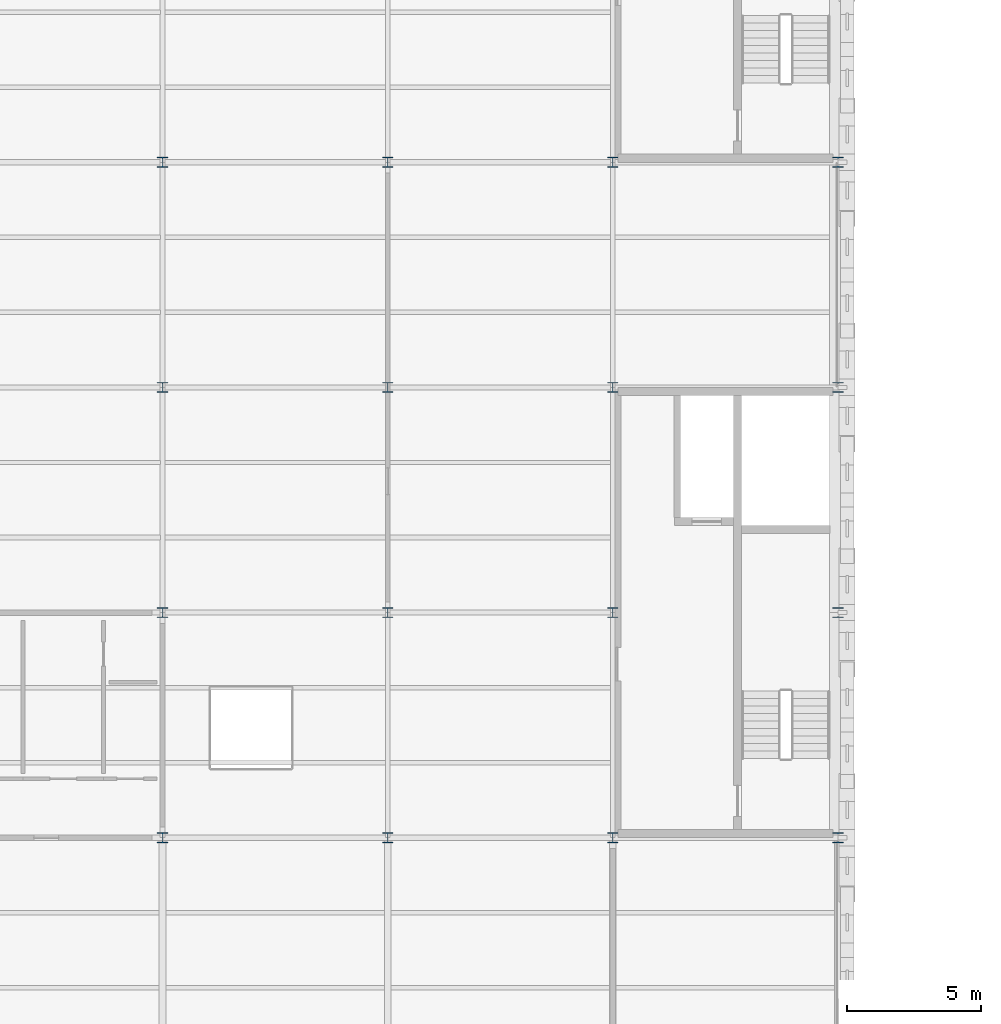
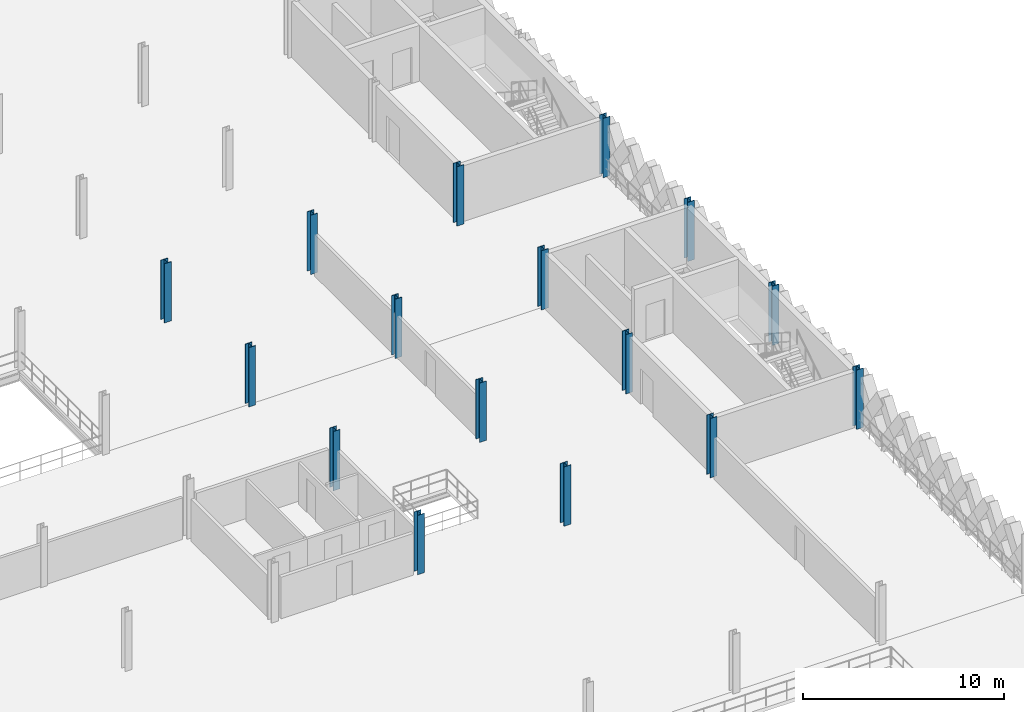
# One storey, part 7 of 79: 16 columns.
"""IFC4 building model written with IfcOpenShell, lengths in metres."""

from ifc_helpers import new_model, si_unit, direction, frame, origin, origin_2d, place, context, subcontext, project, spatial, i_section, extrude, material, material_profile, profile_set, type_object, element, save


model = new_model("IFC4")

# Units and contexts
model_context = context("Model", 3, precision=1e-05, world=origin(), true_north=direction((0.0, 1.0)))
body_context = subcontext(model_context, "Body", "Model", "MODEL_VIEW")
ifc_project = project(units=[si_unit("LENGTHUNIT", "METRE"), si_unit("AREAUNIT", "SQUARE_METRE"), si_unit("VOLUMEUNIT", "CUBIC_METRE"), si_unit("PLANEANGLEUNIT", "RADIAN"), si_unit("MASSUNIT", "GRAM", prefix="KILO"), si_unit("THERMODYNAMICTEMPERATUREUNIT", "KELVIN"), si_unit("POWERUNIT", "WATT")], contexts=[model_context])

# Site, building, storey
site_placement = place(None, origin())
site = spatial("IfcSite", under=ifc_project, at=site_placement, CompositionType="ELEMENT")
building_placement = place(site_placement, origin())
building = spatial("IfcBuilding", under=site, at=building_placement, Name="Tembeka Court Mobility Hub", CompositionType="ELEMENT")
storey_placement = place(building_placement, frame((0.0, 0.0, 9.0)))
storey = spatial("IfcBuildingStorey", under=building, at=storey_placement, Name="L02", CompositionType="ELEMENT", Elevation=9.0)

# Columns
ifc_material = material(Name="Steel S355", Category="steel")
ifc_material_profile = material_profile(ifc_material, i_section(OverallWidth=0.39501953125, OverallDepth=0.381103515625, WebThickness=0.018310546875, FlangeThickness=0.0302734375, FilletRadius=0.01513671875, at=origin_2d()), Name="UKC 356x406x235")
ifc_profile_set = profile_set([ifc_material_profile], Name="Steel S355")
column_type = type_object("IfcColumnType", Name="COL-C02", PredefinedType="COLUMN", material=ifc_profile_set)
for number, where, z_axis, x_axis, name in (
    (1, (67.199951171875, 38.39990234375, 0.0), (0.0, 0.0, 1.0), (1.0, 0.0, 0.0), "Column C02 (L02-095)"),
    (2, (67.199951171875, 46.800048828125, 0.0), (0.0, 0.0, 1.0), (1.0, 0.0, 0.0), "Column C02 (L02-096)"),
    (3, (67.199951171875, 55.199951171875, 0.0), (0.0, 0.0, 1.0), (1.0, 0.0, 0.0), "Column C02 (L02-097)"),
    (4, (67.199951171875, 63.60009765625, 0.0), (0.0, 0.0, 1.0), (1.0, 0.0, 0.0), "Column C02 (L02-098)"),
    (5, (75.60009765625, 38.39990234375, 0.0), (0.0, 0.0, 1.0), (1.0, 0.0, 0.0), "Column C02 (L02-105)"),
    (6, (75.60009765625, 46.800048828125, 0.0), (0.0, 0.0, 1.0), (1.0, 0.0, 0.0), "Column C02 (L02-106)"),
    (7, (75.60009765625, 55.199951171875, 0.0), (0.0, 0.0, 1.0), (1.0, 0.0, 0.0), "Column C02 (L02-107)"),
    (8, (75.60009765625, 63.60009765625, 0.0), (0.0, 0.0, 1.0), (1.0, 0.0, 0.0), "Column C02 (L02-108)"),
    (9, (84.0, 38.39990234375, 0.0), (0.0, 0.0, 1.0), (1.0, 0.0, 0.0), "Column C02 (L02-116)"),
    (10, (84.0, 46.800048828125, 0.0), (0.0, 0.0, 1.0), (1.0, 0.0, 0.0), "Column C02 (L02-117)"),
    (11, (84.0, 55.199951171875, 0.0), (0.0, 0.0, 1.0), (1.0, 0.0, 0.0), "Column C02 (L02-118)"),
    (12, (84.0, 63.60009765625, 0.0), (0.0, 0.0, 1.0), (1.0, 0.0, 0.0), "Column C02 (L02-119)"),
    (13, (92.39990234375, 38.39990234375, 0.0), (0.0, 0.0, 1.0), (1.0, 0.0, 0.0), "Column C02 (L02-128)"),
    (14, (92.39990234375, 46.800048828125, 0.0), (0.0, 0.0, 1.0), (1.0, 0.0, 0.0), "Column C02 (L02-129)"),
    (15, (92.39990234375, 55.199951171875, 0.0), (0.0, 0.0, 1.0), (1.0, 0.0, 0.0), "Column C02 (L02-130)"),
    (16, (92.39990234375, 63.60009765625, 0.0), (0.0, 0.0, 1.0), (1.0, 0.0, 0.0), "Column C02 (L02-131)"),
):
    element("IfcColumn", number, at=place(storey_placement, frame(where, z_axis=z_axis, x_axis=x_axis)), inside=storey, type_object=column_type, Name=name, PredefinedType="COLUMN", context=body_context, shape_type="SweptSolid", body=[
        extrude(i_section(OverallWidth=0.39501953125, OverallDepth=0.381103515625, WebThickness=0.018310546875, FlangeThickness=0.0302734375, FilletRadius=0.01513671875, at=origin_2d()), origin(), (0.0, 0.0, 1.0), 3.60009765625),
    ])

save(model, "model.ifc")
